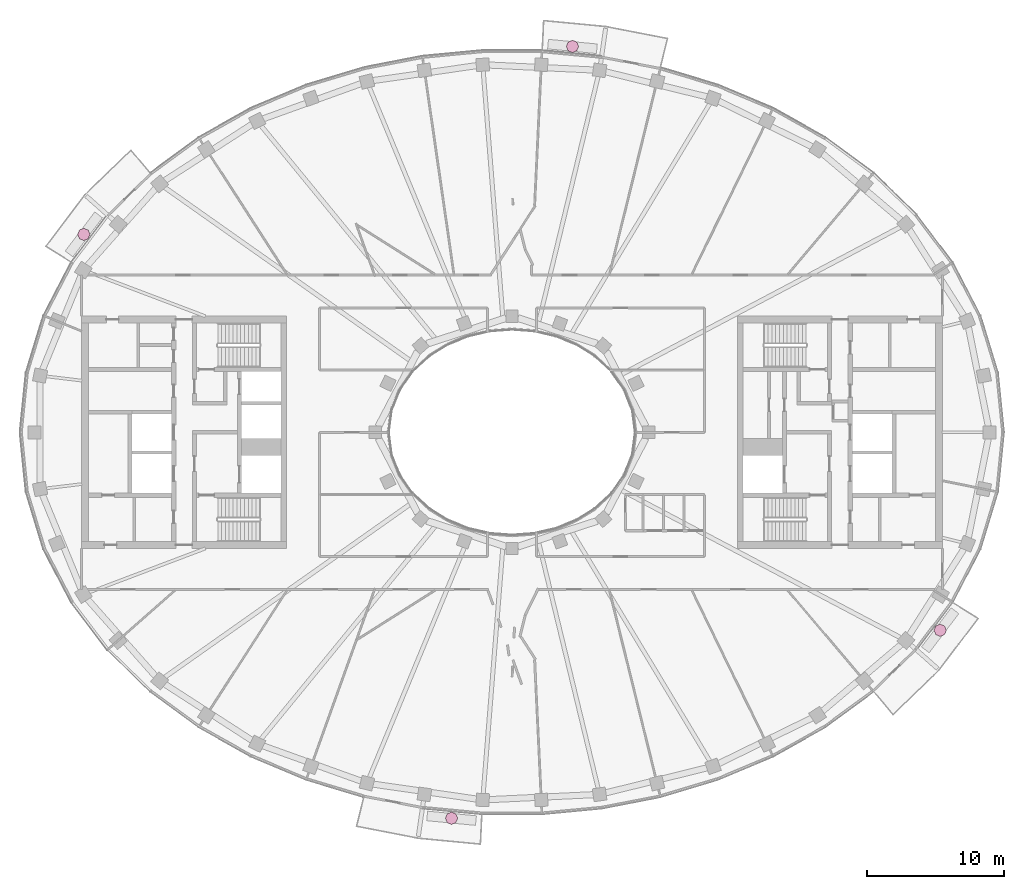
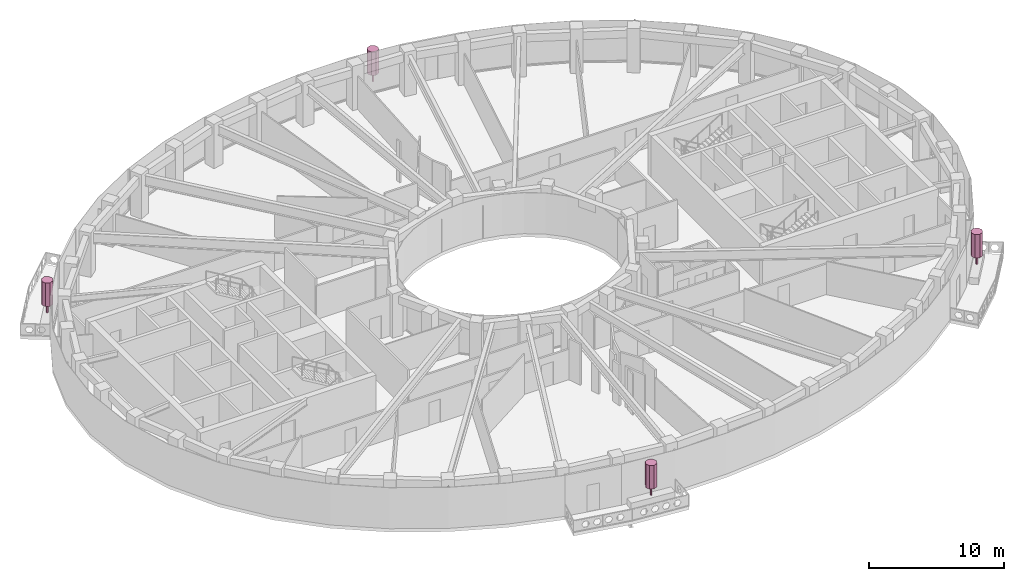
# One storey, part 16 of 16: 4 furnishings.
"""IFC4 building model written with IfcOpenShell, lengths in metres."""

import ifcopenshell
import ifcopenshell.guid

model = None  # the IFC model being written
_history = None  # IfcOwnerHistory: only IFC2X3 demands one
_inside = {}  # id of a spatial element -> (the spatial element, [elements in it])
_under = {}  # id of a project, library or spatial element -> (it, [spatial elements below it])
_declared = {}  # id of a project -> (the project, [libraries it declares])
_typed = {}  # id of a type object -> (the type object, [elements of that type])
_made_of = {}  # id of a material, layer set ... -> (it, [elements and type objects made of it])


def new_model(schema):
    """Start an empty IFC model of exactly this schema.

    Asked for "IFC4X3", IfcOpenShell would pick the latest addendum, in which some entities
    have other attributes; the version numbers below select the first issue.
    IFC2X3 requires an IfcOwnerHistory on every rooted entity: one is made here for all.
    """
    global model, _history
    if schema == "IFC4X3":
        model = ifcopenshell.file(schema_version=(4, 3, 0, 0))
    else:
        model = ifcopenshell.file(schema=schema)
    _inside.clear()
    _under.clear()
    _declared.clear()
    _typed.clear()
    _made_of.clear()
    _history = None
    if model.schema == "IFC2X3":
        org = make("IfcOrganization", Name="unknown")
        user = make(
            "IfcPersonAndOrganization",
            ThePerson=make("IfcPerson", FamilyName="unknown"),
            TheOrganization=org,
        )
        app = make(
            "IfcApplication",
            ApplicationDeveloper=org,
            Version="unknown",
            ApplicationFullName="unknown",
            ApplicationIdentifier="unknown",
        )
        _history = make(
            "IfcOwnerHistory",
            OwningUser=user,
            OwningApplication=app,
            ChangeAction="ADDED",
            CreationDate=0,
        )
    return model


def make(cls, **values):
    """One entity of the class cls with the attributes given. An attribute that is None is left unset."""
    return model.create_entity(
        cls, **{name: value for name, value in values.items() if value is not None}
    )


def rooted(cls, **values):
    """An entity with a GlobalId (a new one), such as an element, a storey or a relation."""
    return make(cls, GlobalId=ifcopenshell.guid.new(), OwnerHistory=_history, **values)


def si_unit(unit_type, name, prefix=None):
    """IfcSIUnit, for example si_unit("LENGTHUNIT", "METRE", prefix="MILLI")."""
    return make("IfcSIUnit", UnitType=unit_type, Prefix=prefix, Name=name)


def assignment(units):
    """IfcUnitAssignment: the units of a project."""
    return None if units is None else make("IfcUnitAssignment", Units=units)


def point(xyz):
    """IfcCartesianPoint."""
    return None if xyz is None else make("IfcCartesianPoint", Coordinates=xyz)


def direction(xyz):
    """IfcDirection."""
    return None if xyz is None else make("IfcDirection", DirectionRatios=xyz)


def frame(location, z_axis=None, x_axis=None):
    """IfcAxis2Placement3D, a coordinate frame: its origin and axes. An axis left out is left unset."""
    return make(
        "IfcAxis2Placement3D",
        Location=point(location),
        Axis=direction(z_axis),
        RefDirection=direction(x_axis),
    )


def frame_2d(location, x_axis=None):
    """IfcAxis2Placement2D, a coordinate frame in the plane: its origin and x axis."""
    return make(
        "IfcAxis2Placement2D", Location=point(location), RefDirection=direction(x_axis)
    )


def origin():
    """The frame at (0, 0, 0) with its axes left unset."""
    return frame((0.0, 0.0, 0.0))


def origin_2d():
    """The frame at (0, 0) in the plane with its x axis left unset."""
    return frame_2d((0.0, 0.0))


def place(relative_to, where):
    """IfcLocalPlacement: puts the frame where relative to a parent placement (None: the world)."""
    return make(
        "IfcLocalPlacement", PlacementRelTo=relative_to, RelativePlacement=where
    )


def context(
    kind, dimensions, precision=None, world=None, true_north=None, identifier=None
):
    """IfcGeometricRepresentationContext, for example the 3D "Model" context."""
    return make(
        "IfcGeometricRepresentationContext",
        ContextIdentifier=identifier,
        ContextType=kind,
        CoordinateSpaceDimension=dimensions,
        Precision=precision,
        WorldCoordinateSystem=world,
        TrueNorth=true_north,
    )


def subcontext(parent, identifier, kind, view, scale=None):
    """IfcGeometricRepresentationSubContext, for example "Body" below "Model"."""
    return make(
        "IfcGeometricRepresentationSubContext",
        ContextIdentifier=identifier,
        ContextType=kind,
        ParentContext=parent,
        TargetScale=scale,
        TargetView=view,
    )


def project(units=None, contexts=None):
    """IfcProject with its units and contexts."""
    return rooted(
        "IfcProject",
        Name="project",
        RepresentationContexts=contexts,
        UnitsInContext=assignment(units),
    )


def spatial(cls, under=None, at=None, **own):
    """A site, building, storey or space (cls), placed at a placement, below another one or the project."""
    s = rooted(cls, ObjectPlacement=at, **own)
    if under is not None:
        _under.setdefault(under.id(), (under, []))[1].append(s)
    return s


def polyline(points):
    """IfcPolyline through the points."""
    return make("IfcPolyline", Points=[point(p) for p in points])


def profile(cls, at=None, kind="AREA", **sizes):
    """A parametric profile (cls). Its sizes go by their IFC names, for example OverallWidth=200.0."""
    return make(cls, ProfileType=kind, Position=at, **sizes)


def rectangle(**sizes):
    """IfcRectangleProfileDef."""
    return profile("IfcRectangleProfileDef", **sizes)


def outline(outer, holes=None, kind="AREA"):
    """IfcArbitraryClosedProfileDef: a profile drawn as a closed curve; with holes, ...WithVoids."""
    if holes is None:
        return make("IfcArbitraryClosedProfileDef", ProfileType=kind, OuterCurve=outer)
    return make(
        "IfcArbitraryProfileDefWithVoids",
        ProfileType=kind,
        OuterCurve=outer,
        InnerCurves=holes,
    )


def extrude(swept, where, along, depth):
    """IfcExtrudedAreaSolid: the profile swept, set in the frame where, extruded along a direction by depth."""
    return make(
        "IfcExtrudedAreaSolid",
        SweptArea=swept,
        Position=where,
        ExtrudedDirection=direction(along),
        Depth=depth,
    )


def shape(context_of_items, identifier, shape_type, items):
    """IfcShapeRepresentation: the items that make up one representation, for example the "Body"."""
    return make(
        "IfcShapeRepresentation",
        ContextOfItems=context_of_items,
        RepresentationIdentifier=identifier,
        RepresentationType=shape_type,
        Items=items,
    )


def material(Name=None, Category=None):
    """IfcMaterial."""
    return make("IfcMaterial", Name=Name, Category=Category)


def made_of(thing, what):
    """Note that an element or type object is made of a material, layer set ...; save() writes the relation."""
    if what is not None:
        _made_of.setdefault(what.id(), (what, []))[1].append(thing)
    return thing


def type_object(cls, material=None, **own):
    """A type object (cls), such as IfcWallType, which elements share."""
    return made_of(rooted(cls, **own), material)


def element(
    cls,
    number,
    at=None,
    inside=None,
    cuts=None,
    type_object=None,
    material=None,
    context=None,
    identifier="Body",
    shape_type=None,
    held_by="IfcProductDefinitionShape",
    body=None,
    shapes=None,
    **own,
):
    """One element of the class cls, such as IfcWall. Its Tag is "e" and its number.

    at: its placement. inside: the storey or other place that contains it. cuts: it is an
    opening in that element (IfcRelVoidsElement). A single representation is given by context,
    identifier, shape_type and body (its items); several are given by shapes. held_by: the class
    of the entity that holds the representations. save() writes the other relations.
    """
    e = rooted(cls, Tag="e%d" % number, ObjectPlacement=at, **own)
    if body is not None:
        shapes = [shape(context, identifier, shape_type, body)]
    if shapes is not None:
        e.Representation = make(held_by, Representations=shapes)
    if inside is not None:
        _inside.setdefault(inside.id(), (inside, []))[1].append(e)
    if cuts is not None:
        rooted(
            "IfcRelVoidsElement", RelatingBuildingElement=cuts, RelatedOpeningElement=e
        )
    if type_object is not None:
        _typed.setdefault(type_object.id(), (type_object, []))[1].append(e)
    return made_of(e, material)


def aggregate(whole, parts):
    """IfcRelAggregates: a whole, such as a stair, and the parts it consists of."""
    return rooted("IfcRelAggregates", RelatingObject=whole, RelatedObjects=parts)


def save(model, path):
    """Write the relations noted so far, then the file.

    IfcRelAggregates (storeys below a building ...), IfcRelContainedInSpatialStructure (elements
    in a storey), IfcRelDefinesByType, IfcRelAssociatesMaterial and IfcRelDeclares: one each for
    every whole, place, type object, material and project.
    """
    for whole, parts in _under.values():
        aggregate(whole, parts)
    for where, things in _inside.values():
        rooted(
            "IfcRelContainedInSpatialStructure",
            RelatedElements=things,
            RelatingStructure=where,
        )
    for kind, things in _typed.values():
        rooted("IfcRelDefinesByType", RelatedObjects=things, RelatingType=kind)
    for what, things in _made_of.values():
        rooted("IfcRelAssociatesMaterial", RelatedObjects=things, RelatingMaterial=what)
    for by, libraries in _declared.values():
        rooted("IfcRelDeclares", RelatingContext=by, RelatedDefinitions=libraries)
    model.write(path)


model = new_model("IFC4")

# Units and contexts
model_context = context("Model", 3, precision=1e-05, world=origin(), true_north=direction((0.0, 1.0)))
body_context = subcontext(model_context, "Body", "Model", "MODEL_VIEW")
ifc_project = project(units=[si_unit("LENGTHUNIT", "METRE"), si_unit("AREAUNIT", "SQUARE_METRE"), si_unit("VOLUMEUNIT", "CUBIC_METRE"), si_unit("PLANEANGLEUNIT", "RADIAN"), si_unit("MASSUNIT", "GRAM", prefix="KILO")], contexts=[model_context])

# Site, building, storey
site_placement = place(None, origin())
site = spatial("IfcSite", under=ifc_project, at=site_placement, CompositionType="ELEMENT")
building_placement = place(site_placement, origin())
building = spatial("IfcBuilding", under=site, at=building_placement, Name="Noorbagh Ring Tower", CompositionType="ELEMENT")
storey_placement = place(building_placement, frame((0.0, 0.0, 315.0)))
storey = spatial("IfcBuildingStorey", under=building, at=storey_placement, Name="L68", CompositionType="ELEMENT", Elevation=315.0)

# Furnishings
ifc_material = material(Name="Planting foliage green")
furnishing_element_type = type_object("IfcFurnishingElementType", Name="ENV-TREE", material=ifc_material)
for number, where, z_axis, x_axis, name in (
    (1, (4.423828125, 28.2373046875, 0.60009765625), (0.0, 0.0, 1.0), (1.0, 0.0, 0.0), "Tree BN03"),
    (2, (-31.329833984375, 14.4833984375, 0.60009765625), (0.0, 0.0, 1.0), (1.0, 0.0, 0.0), "Tree BN06"),
    (3, (-4.423828125, -28.2373046875, 0.60009765625), (0.0, 0.0, 1.0), (1.0, 0.0, 0.0), "Tree BS03"),
    (4, (31.329833984375, -14.4833984375, 0.60009765625), (0.0, 0.0, 1.0), (1.0, 0.0, 0.0), "Tree BS06"),
):
    element("IfcFurnishingElement", number, at=place(storey_placement, frame(where, z_axis=z_axis, x_axis=x_axis)), inside=storey, type_object=furnishing_element_type, Name=name, context=body_context, shape_type="SweptSolid", body=[
        extrude(rectangle(XDim=0.1201171875, YDim=0.1201171875, at=origin_2d()), origin(), (0.0, 0.0, 1.0), 0.825927734375),
        extrude(outline(polyline([(0.449951171875, 0.0), (0.318115234375, 0.318115234375), (0.0, 0.449951171875), (-0.318115234375, 0.318115234375), (-0.449951171875, 0.0), (-0.318115234375, -0.318115234375), (0.0, -0.449951171875), (0.318115234375, -0.318115234375), (0.449951171875, 0.0)])), frame((0.0, 0.0, 0.825927734375)), (0.0, 0.0, 1.0), 2.1240234375),
    ])

save(model, "model.ifc")
